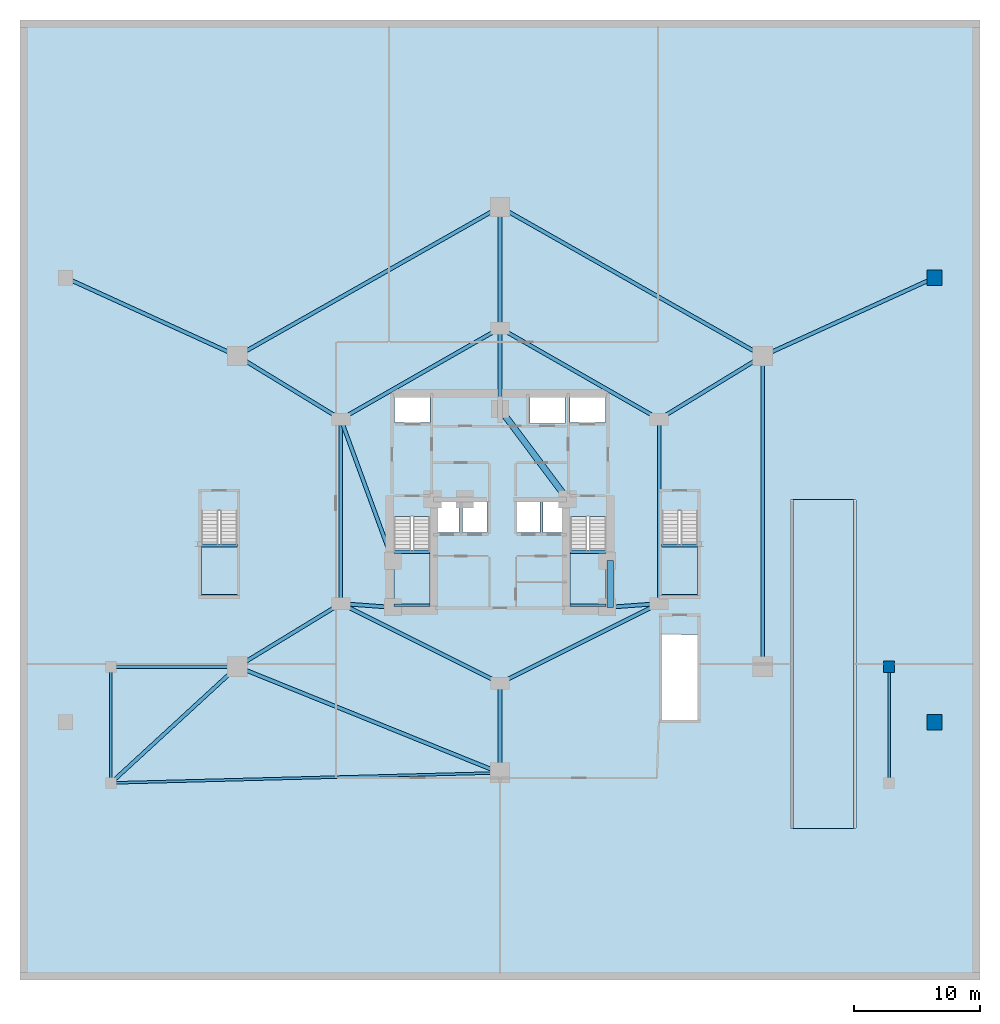
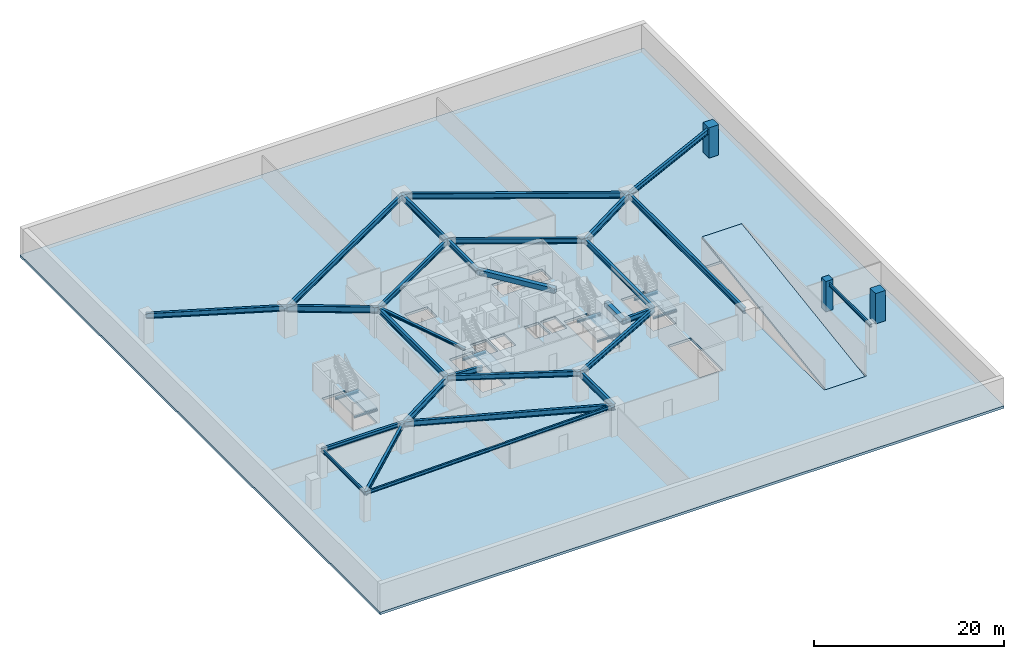
# One storey, part 4 of 10: 36 beams, 6 slabs, 3 columns, 4 elements without a shape of their own.
"""IFC4 building model written with IfcOpenShell, lengths in metres."""

from ifc_helpers import new_model, si_unit, direction, frame, origin, origin_2d, place, context, subcontext, project, spatial, polyline, rectangle, i_section, outline, extrude, material, layer, layer_set, material_profile, profile_set, type_object, element, aggregate, save


model = new_model("IFC4")

# Units and contexts
model_context = context("Model", 3, precision=1e-05, world=origin(), true_north=direction((0.0, 1.0)))
body_context = subcontext(model_context, "Body", "Model", "MODEL_VIEW")
ifc_project = project(units=[si_unit("LENGTHUNIT", "METRE"), si_unit("AREAUNIT", "SQUARE_METRE"), si_unit("VOLUMEUNIT", "CUBIC_METRE"), si_unit("PLANEANGLEUNIT", "RADIAN"), si_unit("MASSUNIT", "GRAM", prefix="KILO")], contexts=[model_context])

# Site, building, storey
site_placement = place(None, origin())
site = spatial("IfcSite", under=ifc_project, at=site_placement, CompositionType="ELEMENT")
building_placement = place(site_placement, origin())
building = spatial("IfcBuilding", under=site, at=building_placement, Name="Miruveldt Soraemaru", CompositionType="ELEMENT")
storey_placement = place(building_placement, frame((0.0, 0.0, -3.89990234375)))
storey = spatial("IfcBuildingStorey", under=building, at=storey_placement, Name="B1", CompositionType="ELEMENT", Elevation=-3.89990234375)

# Columns
ifc_material_1 = material(Name="Concrete C70/85 (70 MPa)", Category="concrete")
ifc_material_profile_1 = material_profile(ifc_material_1, rectangle(XDim=1.199951171875, YDim=1.199951171875, at=origin_2d()), Name="Concrete C70/85 (70 MPa)", Category="concrete")
ifc_profile_set_1 = profile_set([ifc_material_profile_1], Name="Concrete C70/85 (70 MPa)")
column_type_1 = type_object("IfcColumnType", Name="COL-CORE-1200", PredefinedType="COLUMN", material=ifc_profile_set_1)
for number, where, z_axis, x_axis, name in (
    (1, (78.39990234375, 26.39990234375, 0.0), (0.0, 0.0, 1.0), (1.0, 0.0, 0.0), "B1 Structural Column BC3"),
    (2, (78.39990234375, 61.60009765625, 0.0), (0.0, 0.0, 1.0), (1.0, 0.0, 0.0), "B1 Structural Column BC4"),
):
    element("IfcColumn", number, at=place(storey_placement, frame(where, z_axis=z_axis, x_axis=x_axis)), inside=storey, type_object=column_type_1, Name=name, PredefinedType="COLUMN", context=body_context, shape_type="SweptSolid", body=[
        extrude(rectangle(XDim=1.199951171875, YDim=1.199951171875, at=origin_2d()), origin(), (0.0, 0.0, 1.0), 3.89990234375),
    ])
ifc_material_2 = material(Name="Concrete C50/60 (50 MPa)", Category="concrete")
ifc_material_profile_2 = material_profile(ifc_material_2, rectangle(XDim=0.89990234375, YDim=0.89990234375, at=origin_2d()), Name="Concrete C50/60 (50 MPa)", Category="concrete")
ifc_profile_set_2 = profile_set([ifc_material_profile_2], Name="Concrete C50/60 (50 MPa)")
column_type_2 = type_object("IfcColumnType", Name="COL-CORE-900", PredefinedType="COLUMN", material=ifc_profile_set_2)
column_placement = place(storey_placement, frame((74.800048828125, 30.800048828125, 0.0), z_axis=(0.0, 0.0, 1.0), x_axis=(1.0, 0.0, 0.0)))
element("IfcColumn", 3, at=column_placement, inside=storey, type_object=column_type_2, Name="B1 Structural Column PF04", PredefinedType="COLUMN", context=body_context, shape_type="SweptSolid", body=[
    extrude(rectangle(XDim=0.89990234375, YDim=0.89990234375, at=origin_2d()), origin(), (0.0, 0.0, 1.0), 3.89990234375),
])

# Beams
ifc_material_3 = material(Name="Steel SM355 (355 MPa)", Category="steel")
ifc_material_profile_3 = material_profile(ifc_material_3, i_section(OverallWidth=0.300048828125, OverallDepth=0.300048828125, WebThickness=0.010009765625, FlangeThickness=0.014892578125, FilletRadius=0.01806640625, at=origin_2d()), Name="Steel SM355 (355 MPa)", Category="steel")
ifc_profile_set_3 = profile_set([ifc_material_profile_3], Name="Steel SM355 (355 MPa)")
beam_type_1 = type_object("IfcBeamType", Name="BM-LNT-H300", PredefinedType="LINTEL", material=ifc_profile_set_3)
beam_1_placement = place(storey_placement, frame((31.39990234375, 50.39990234375, 3.449951171875), z_axis=(0.343770424598, -0.939053723262, 0.0), x_axis=(0.939053723262, 0.343770424598, 0.0)))
element("IfcBeam", 4, at=beam_1_placement, inside=storey, type_object=beam_type_1, Name="B1 West Lobby Lintel", PredefinedType="LINTEL", context=body_context, shape_type="SweptSolid", body=[
    extrude(i_section(OverallWidth=0.300048828125, OverallDepth=0.300048828125, WebThickness=0.010009765625, FlangeThickness=0.014892578125, FilletRadius=0.01806640625, at=origin_2d()), origin(), (0.0, 0.0, 1.0), 11.9267578125),
])
ifc_material_profile_4 = material_profile(ifc_material_2, rectangle(XDim=0.5, YDim=0.64990234375, at=origin_2d()), Name="Concrete C50/60 (50 MPa)", Category="concrete")
ifc_profile_set_4 = profile_set([ifc_material_profile_4], Name="Concrete C50/60 (50 MPa)")
beam_type_2 = type_object("IfcBeamType", Name="BM-RC-500x650", PredefinedType="BEAM", material=ifc_profile_set_4)
beam_2_placement = place(storey_placement, frame((52.72998046875, 35.5, 3.27490234375), z_axis=(0.0, 1.0, 0.0), x_axis=(-1.0, 0.0, 0.0)))
element("IfcBeam", 5, at=beam_2_placement, inside=storey, type_object=beam_type_2, Name="B1 Core Tie Beam 3", PredefinedType="BEAM", context=body_context, shape_type="SweptSolid", body=[
    extrude(rectangle(XDim=0.5, YDim=0.64990234375, at=origin_2d()), origin(), (0.0, 0.0, 1.0), 3.699951171875),
])
beam_3_placement = place(storey_placement, frame((49.35009765625, 44.050048828125, 3.27490234375), z_axis=(-0.599116023999, 0.800662219533, 0.0), x_axis=(-0.800662219533, -0.599116023999, 0.0)))
element("IfcBeam", 6, at=beam_3_placement, inside=storey, type_object=beam_type_2, Name="B1 Core Tie Beam 5", PredefinedType="BEAM", context=body_context, shape_type="SweptSolid", body=[
    extrude(rectangle(XDim=0.5, YDim=0.64990234375, at=origin_2d()), origin(), (0.0, 0.0, 1.0), 8.929931640625),
])
ifc_material_profile_5 = material_profile(ifc_material_3, i_section(OverallWidth=0.199951171875, OverallDepth=0.39990234375, WebThickness=0.008056640625, FlangeThickness=0.012939453125, FilletRadius=0.01611328125, at=origin_2d()), Name="Steel SM355 (355 MPa)", Category="steel")
ifc_profile_set_5 = profile_set([ifc_material_profile_5], Name="Steel SM355 (355 MPa)")
beam_type_3 = type_object("IfcBeamType", Name="BM-ST-H400", PredefinedType="JOIST", material=ifc_profile_set_5)
beam_4_placement = place(storey_placement, frame((13.199951171875, 30.800048828125, 3.39990234375), z_axis=(0.0, -1.0, 0.0), x_axis=(1.0, 0.0, 0.0)))
element("IfcBeam", 7, at=beam_4_placement, inside=storey, type_object=beam_type_3, Name="B1 Podium West Bay Edge Beam", PredefinedType="JOIST", context=body_context, shape_type="SweptSolid", body=[
    extrude(i_section(OverallWidth=0.199951171875, OverallDepth=0.39990234375, WebThickness=0.008056640625, FlangeThickness=0.012939453125, FilletRadius=0.01611328125, at=origin_2d()), origin(), (0.0, 0.0, 1.0), 9.199951171875),
])
beam_5_placement = place(storey_placement, frame((13.199951171875, 21.60009765625, 3.39990234375), z_axis=(0.999663011165, 0.025958892686, 0.0), x_axis=(-0.025958892686, 0.999663011165, 0.0)))
element("IfcBeam", 8, at=beam_5_placement, inside=storey, type_object=beam_type_3, Name="B1 Podium South-West Tie Beam", PredefinedType="JOIST", context=body_context, shape_type="SweptSolid", body=[
    extrude(i_section(OverallWidth=0.199951171875, OverallDepth=0.39990234375, WebThickness=0.008056640625, FlangeThickness=0.012939453125, FilletRadius=0.01611328125, at=origin_2d()), origin(), (0.0, 0.0, 1.0), 30.810546875),
])
beam_6_placement = place(storey_placement, frame((74.800048828125, 30.800048828125, 3.39990234375), z_axis=(0.0, -1.0, 0.0), x_axis=(1.0, 0.0, 0.0)))
element("IfcBeam", 9, at=beam_6_placement, inside=storey, type_object=beam_type_3, Name="B1 Podium East Bay Edge Beam", PredefinedType="JOIST", context=body_context, shape_type="SweptSolid", body=[
    extrude(i_section(OverallWidth=0.199951171875, OverallDepth=0.39990234375, WebThickness=0.008056640625, FlangeThickness=0.012939453125, FilletRadius=0.01611328125, at=origin_2d()), origin(), (0.0, 0.0, 1.0), 9.199951171875),
])
ifc_material_profile_6 = material_profile(ifc_material_3, i_section(OverallWidth=0.300048828125, OverallDepth=0.488037109375, WebThickness=0.010986328125, FlangeThickness=0.01806640625, FilletRadius=0.02587890625, at=origin_2d()), Name="Steel SM355 (355 MPa)", Category="steel")
ifc_profile_set_6 = profile_set([ifc_material_profile_6], Name="Steel SM355 (355 MPa)")
beam_type_4 = type_object("IfcBeamType", Name="BM-ST-H488", PredefinedType="BEAM", material=ifc_profile_set_6)
beam_7_placement = place(storey_placement, frame((23.199951171875, 30.800048828125, 3.35595703125), z_axis=(-1.0, 0.0, 0.0), x_axis=(0.0, -1.0, 0.0)))
element("IfcBeam", 10, at=beam_7_placement, inside=storey, type_object=beam_type_4, Name="B1 Podium West Bay Girder 1", PredefinedType="BEAM", context=body_context, shape_type="SweptSolid", body=[
    extrude(i_section(OverallWidth=0.300048828125, OverallDepth=0.488037109375, WebThickness=0.010986328125, FlangeThickness=0.01806640625, FilletRadius=0.02587890625, at=origin_2d()), origin(), (0.0, 0.0, 1.0), 10.0),
])
beam_8_placement = place(storey_placement, frame((13.199951171875, 21.60009765625, 3.35595703125), z_axis=(0.735932802242, 0.677054584641, 0.0), x_axis=(-0.677054584641, 0.735932802242, 0.0)))
element("IfcBeam", 11, at=beam_8_placement, inside=storey, type_object=beam_type_4, Name="B1 Podium West Bay Tie Girder", PredefinedType="BEAM", context=body_context, shape_type="SweptSolid", body=[
    extrude(i_section(OverallWidth=0.300048828125, OverallDepth=0.488037109375, WebThickness=0.010986328125, FlangeThickness=0.01806640625, FilletRadius=0.02587890625, at=origin_2d()), origin(), (0.0, 0.0, 1.0), 13.588134765625),
])
ifc_material_profile_7 = material_profile(ifc_material_3, i_section(OverallWidth=0.300048828125, OverallDepth=0.64990234375, WebThickness=0.012939453125, FlangeThickness=0.02197265625, FilletRadius=0.02587890625, at=origin_2d()), Name="Steel SM355 (355 MPa)", Category="steel")
ifc_profile_set_7 = profile_set([ifc_material_profile_7], Name="Steel SM355 (355 MPa)")
beam_type_5 = type_object("IfcBeamType", Name="BM-ST-H650", PredefinedType="BEAM", material=ifc_profile_set_7)
beam_9_placement = place(storey_placement, frame((44.0, 57.60009765625, 3.27490234375), z_axis=(0.868239001029, -0.496146185203, 0.0), x_axis=(0.496146185203, 0.868239001029, 0.0)))
element("IfcBeam", 12, at=beam_9_placement, inside=storey, type_object=beam_type_5, Name="B1 Inner Ring Girder 1", PredefinedType="BEAM", context=body_context, shape_type="SweptSolid", body=[
    extrude(i_section(OverallWidth=0.300048828125, OverallDepth=0.64990234375, WebThickness=0.012939453125, FlangeThickness=0.02197265625, FilletRadius=0.02587890625, at=origin_2d()), origin(), (0.0, 0.0, 1.0), 14.51220703125),
])
beam_10_placement = place(storey_placement, frame((44.0, 51.199951171875, 3.27490234375), z_axis=(0.0, 1.0, 0.0), x_axis=(-1.0, 0.0, 0.0)))
element("IfcBeam", 13, at=beam_10_placement, inside=storey, type_object=beam_type_5, Name="B1 Core-to-Inner Radial Girder 1", PredefinedType="BEAM", context=body_context, shape_type="SweptSolid", body=[
    extrude(i_section(OverallWidth=0.300048828125, OverallDepth=0.64990234375, WebThickness=0.012939453125, FlangeThickness=0.02197265625, FilletRadius=0.02587890625, at=origin_2d()), origin(), (0.0, 0.0, 1.0), 6.400146484375),
])
beam_11_placement = place(storey_placement, frame((56.60009765625, 50.39990234375, 3.27490234375), z_axis=(0.0, -1.0, 0.0), x_axis=(1.0, 0.0, 0.0)))
element("IfcBeam", 14, at=beam_11_placement, inside=storey, type_object=beam_type_5, Name="B1 Inner Ring Girder 2", PredefinedType="BEAM", context=body_context, shape_type="SweptSolid", body=[
    extrude(i_section(OverallWidth=0.300048828125, OverallDepth=0.64990234375, WebThickness=0.012939453125, FlangeThickness=0.02197265625, FilletRadius=0.02587890625, at=origin_2d()), origin(), (0.0, 0.0, 1.0), 14.599853515625),
])
beam_12_placement = place(storey_placement, frame((56.60009765625, 35.800048828125, 3.27490234375), z_axis=(-0.894427191, -0.4472135955, 0.0), x_axis=(0.4472135955, -0.894427191, 0.0)))
element("IfcBeam", 15, at=beam_12_placement, inside=storey, type_object=beam_type_5, Name="B1 Inner Ring Girder 3", PredefinedType="BEAM", context=body_context, shape_type="SweptSolid", body=[
    extrude(i_section(OverallWidth=0.300048828125, OverallDepth=0.64990234375, WebThickness=0.012939453125, FlangeThickness=0.02197265625, FilletRadius=0.02587890625, at=origin_2d()), origin(), (0.0, 0.0, 1.0), 14.08740234375),
])
beam_13_placement = place(storey_placement, frame((52.5, 35.5, 3.27490234375), z_axis=(0.997332985605, 0.072985723431, 0.0), x_axis=(-0.072985723431, 0.997332985605, 0.0)))
element("IfcBeam", 16, at=beam_13_placement, inside=storey, type_object=beam_type_5, Name="B1 Core-to-Inner Radial Girder 3", PredefinedType="BEAM", context=body_context, shape_type="SweptSolid", body=[
    extrude(i_section(OverallWidth=0.300048828125, OverallDepth=0.64990234375, WebThickness=0.012939453125, FlangeThickness=0.02197265625, FilletRadius=0.02587890625, at=origin_2d()), origin(), (0.0, 0.0, 1.0), 4.111083984375),
])
beam_14_placement = place(storey_placement, frame((44.0, 29.5, 3.27490234375), z_axis=(-0.894427191, 0.4472135955, 0.0), x_axis=(-0.4472135955, -0.894427191, 0.0)))
element("IfcBeam", 17, at=beam_14_placement, inside=storey, type_object=beam_type_5, Name="B1 Inner Ring Girder 4", PredefinedType="BEAM", context=body_context, shape_type="SweptSolid", body=[
    extrude(i_section(OverallWidth=0.300048828125, OverallDepth=0.64990234375, WebThickness=0.012939453125, FlangeThickness=0.02197265625, FilletRadius=0.02587890625, at=origin_2d()), origin(), (0.0, 0.0, 1.0), 14.08740234375),
])
beam_15_placement = place(storey_placement, frame((31.39990234375, 35.800048828125, 3.27490234375), z_axis=(0.0, 1.0, 0.0), x_axis=(-1.0, 0.0, 0.0)))
element("IfcBeam", 18, at=beam_15_placement, inside=storey, type_object=beam_type_5, Name="B1 Inner Ring Girder 5", PredefinedType="BEAM", context=body_context, shape_type="SweptSolid", body=[
    extrude(i_section(OverallWidth=0.300048828125, OverallDepth=0.64990234375, WebThickness=0.012939453125, FlangeThickness=0.02197265625, FilletRadius=0.02587890625, at=origin_2d()), origin(), (0.0, 0.0, 1.0), 14.599853515625),
])
beam_16_placement = place(storey_placement, frame((35.5, 35.5, 3.27490234375), z_axis=(-0.997332985605, 0.072985723431, 0.0), x_axis=(-0.072985723431, -0.997332985605, 0.0)))
element("IfcBeam", 19, at=beam_16_placement, inside=storey, type_object=beam_type_5, Name="B1 Core-to-Inner Radial Girder 5", PredefinedType="BEAM", context=body_context, shape_type="SweptSolid", body=[
    extrude(i_section(OverallWidth=0.300048828125, OverallDepth=0.64990234375, WebThickness=0.012939453125, FlangeThickness=0.02197265625, FilletRadius=0.02587890625, at=origin_2d()), origin(), (0.0, 0.0, 1.0), 4.111083984375),
])
beam_17_placement = place(storey_placement, frame((31.39990234375, 50.39990234375, 3.27490234375), z_axis=(0.868239001029, 0.496146185203, 0.0), x_axis=(-0.496146185203, 0.868239001029, 0.0)))
element("IfcBeam", 20, at=beam_17_placement, inside=storey, type_object=beam_type_5, Name="B1 Inner Ring Girder 6", PredefinedType="BEAM", context=body_context, shape_type="SweptSolid", body=[
    extrude(i_section(OverallWidth=0.300048828125, OverallDepth=0.64990234375, WebThickness=0.012939453125, FlangeThickness=0.02197265625, FilletRadius=0.02587890625, at=origin_2d()), origin(), (0.0, 0.0, 1.0), 14.51220703125),
])
for number, where, z_axis, x_axis, name in (
    (21, (23.199951171875, 55.39990234375, 3.27490234375), (-0.909901047337, 0.414825365733, 0.0), (-0.414825365733, -0.909901047337, 0.0), "B1 Basement Outer Girder 2"),
    (22, (64.800048828125, 55.39990234375, 3.27490234375), (0.909901047337, 0.414825365733, 0.0), (-0.414825365733, 0.909901047337, 0.0), "B1 Basement Outer Girder 4"),
):
    element("IfcBeam", number, at=place(storey_placement, frame(where, z_axis=z_axis, x_axis=x_axis)), inside=storey, type_object=beam_type_5, Name=name, PredefinedType="BEAM", context=body_context, shape_type="SweptSolid", body=[
        extrude(i_section(OverallWidth=0.300048828125, OverallDepth=0.64990234375, WebThickness=0.012939453125, FlangeThickness=0.02197265625, FilletRadius=0.02587890625, at=origin_2d()), origin(), (0.0, 0.0, 1.0), 14.946533203125),
    ])
ifc_material_profile_8 = material_profile(ifc_material_3, i_section(OverallWidth=0.300048828125, OverallDepth=0.699951171875, WebThickness=0.012939453125, FlangeThickness=0.02392578125, FilletRadius=0.028076171875, at=origin_2d()), Name="Steel SM355 (355 MPa)", Category="steel")
ifc_profile_set_8 = profile_set([ifc_material_profile_8], Name="Steel SM355 (355 MPa)")
beam_type_6 = type_object("IfcBeamType", Name="BM-ST-H700", PredefinedType="BEAM", material=ifc_profile_set_8)
beam_18_placement = place(storey_placement, frame((44.0, 67.199951171875, 3.25), z_axis=(0.869782551993, -0.493435215858, 0.0), x_axis=(0.493435215858, 0.869782551993, 0.0)))
element("IfcBeam", 23, at=beam_18_placement, inside=storey, type_object=beam_type_6, Name="B1 Podium Ring Girder 1", PredefinedType="BEAM", context=body_context, shape_type="SweptSolid", body=[
    extrude(i_section(OverallWidth=0.300048828125, OverallDepth=0.699951171875, WebThickness=0.012939453125, FlangeThickness=0.02392578125, FilletRadius=0.028076171875, at=origin_2d()), origin(), (0.0, 0.0, 1.0), 23.9140625),
])
beam_19_placement = place(storey_placement, frame((64.800048828125, 55.39990234375, 3.25), z_axis=(0.0, -1.0, 0.0), x_axis=(1.0, 0.0, 0.0)))
element("IfcBeam", 24, at=beam_19_placement, inside=storey, type_object=beam_type_6, Name="B1 Podium Ring Girder 2", PredefinedType="BEAM", context=body_context, shape_type="SweptSolid", body=[
    extrude(i_section(OverallWidth=0.300048828125, OverallDepth=0.699951171875, WebThickness=0.012939453125, FlangeThickness=0.02392578125, FilletRadius=0.028076171875, at=origin_2d()), origin(), (0.0, 0.0, 1.0), 24.599853515625),
])
beam_20_placement = place(storey_placement, frame((44.0, 22.39990234375, 3.25), z_axis=(-0.927239874954, 0.374467908231, 0.0), x_axis=(-0.374467908231, -0.927239874954, 0.0)))
element("IfcBeam", 25, at=beam_20_placement, inside=storey, type_object=beam_type_6, Name="B1 Podium Ring Girder 4", PredefinedType="BEAM", context=body_context, shape_type="SweptSolid", body=[
    extrude(i_section(OverallWidth=0.300048828125, OverallDepth=0.699951171875, WebThickness=0.012939453125, FlangeThickness=0.02392578125, FilletRadius=0.028076171875, at=origin_2d()), origin(), (0.0, 0.0, 1.0), 22.43212890625),
])
beam_21_placement = place(storey_placement, frame((23.199951171875, 55.39990234375, 3.25), z_axis=(0.869782551993, 0.493435215858, 0.0), x_axis=(-0.493435215858, 0.869782551993, 0.0)))
element("IfcBeam", 26, at=beam_21_placement, inside=storey, type_object=beam_type_6, Name="B1 Podium Ring Girder 6", PredefinedType="BEAM", context=body_context, shape_type="SweptSolid", body=[
    extrude(i_section(OverallWidth=0.300048828125, OverallDepth=0.699951171875, WebThickness=0.012939453125, FlangeThickness=0.02392578125, FilletRadius=0.028076171875, at=origin_2d()), origin(), (0.0, 0.0, 1.0), 23.9140625),
])
ifc_material_4 = material(Name="Steel S460 (460 MPa)", Category="steel")
ifc_material_profile_9 = material_profile(ifc_material_4, i_section(OverallWidth=0.300048828125, OverallDepth=0.800048828125, WebThickness=0.013916015625, FlangeThickness=0.02587890625, FilletRadius=0.028076171875, at=origin_2d()), Name="Steel S460 (460 MPa)", Category="steel")
ifc_profile_set_9 = profile_set([ifc_material_profile_9], Name="Steel S460 (460 MPa)")
beam_type_7 = type_object("IfcBeamType", Name="BM-ST-H800", PredefinedType="BEAM", material=ifc_profile_set_9)
beam_22_placement = place(storey_placement, frame((44.0, 57.60009765625, 3.199951171875), z_axis=(0.0, 1.0, 0.0), x_axis=(-1.0, 0.0, 0.0)))
element("IfcBeam", 27, at=beam_22_placement, inside=storey, type_object=beam_type_7, Name="B1 Podium Radial Girder 1", PredefinedType="BEAM", context=body_context, shape_type="SweptSolid", body=[
    extrude(i_section(OverallWidth=0.300048828125, OverallDepth=0.800048828125, WebThickness=0.013916015625, FlangeThickness=0.02587890625, FilletRadius=0.028076171875, at=origin_2d()), origin(), (0.0, 0.0, 1.0), 9.599853515625),
])
beam_23_placement = place(storey_placement, frame((56.60009765625, 50.39990234375, 3.199951171875), z_axis=(0.853794797843, 0.520609684098, 0.0), x_axis=(-0.520609684098, 0.853794797843, 0.0)))
element("IfcBeam", 28, at=beam_23_placement, inside=storey, type_object=beam_type_7, Name="B1 Podium Radial Girder 2", PredefinedType="BEAM", context=body_context, shape_type="SweptSolid", body=[
    extrude(i_section(OverallWidth=0.300048828125, OverallDepth=0.800048828125, WebThickness=0.013916015625, FlangeThickness=0.02587890625, FilletRadius=0.028076171875, at=origin_2d()), origin(), (0.0, 0.0, 1.0), 9.60400390625),
])
beam_24_placement = place(storey_placement, frame((44.0, 29.5, 3.199951171875), z_axis=(0.0, -1.0, 0.0), x_axis=(1.0, 0.0, 0.0)))
element("IfcBeam", 29, at=beam_24_placement, inside=storey, type_object=beam_type_7, Name="B1 Podium Radial Girder 4", PredefinedType="BEAM", context=body_context, shape_type="SweptSolid", body=[
    extrude(i_section(OverallWidth=0.300048828125, OverallDepth=0.800048828125, WebThickness=0.013916015625, FlangeThickness=0.02587890625, FilletRadius=0.028076171875, at=origin_2d()), origin(), (0.0, 0.0, 1.0), 7.10009765625),
])
for number, where, z_axis, x_axis, name in (
    (30, (31.39990234375, 35.800048828125, 3.199951171875), (-0.853794797843, -0.520609684098, 0.0), (0.520609684098, -0.853794797843, 0.0), "B1 Podium Radial Girder 5"),
    (31, (31.39990234375, 50.39990234375, 3.199951171875), (-0.853794797843, 0.520609684098, 0.0), (-0.520609684098, -0.853794797843, 0.0), "B1 Podium Radial Girder 6"),
):
    element("IfcBeam", number, at=place(storey_placement, frame(where, z_axis=z_axis, x_axis=x_axis)), inside=storey, type_object=beam_type_7, Name=name, PredefinedType="BEAM", context=body_context, shape_type="SweptSolid", body=[
        extrude(i_section(OverallWidth=0.300048828125, OverallDepth=0.800048828125, WebThickness=0.013916015625, FlangeThickness=0.02587890625, FilletRadius=0.028076171875, at=origin_2d()), origin(), (0.0, 0.0, 1.0), 9.60400390625),
    ])
ifc_material_profile_10 = material_profile(ifc_material_3, i_section(OverallWidth=0.199951171875, OverallDepth=0.199951171875, WebThickness=0.008056640625, FlangeThickness=0.011962890625, FilletRadius=0.012939453125, at=origin_2d()), Name="Steel SM355 (355 MPa)", Category="steel")
ifc_profile_set_10 = profile_set([ifc_material_profile_10], Name="Steel SM355 (355 MPa)")
beam_type_8 = type_object("IfcBeamType", Name="BM-ST-LND200", PredefinedType="BEAM", material=ifc_profile_set_10)
for number, where, z_axis, x_axis, name in (
    (32, (35.60009765625, 35.64990234375, 1.64990234375), (1.0, 0.0, 0.0), (0.0, 1.0, 0.0), "B1 ST1 Landing End Beam 1B"),
    (33, (49.550048828125, 35.64990234375, 1.64990234375), (1.0, 0.0, 0.0), (0.0, 1.0, 0.0), "B1 ST2 Landing End Beam 1B"),
    (34, (20.35009765625, 36.39990234375, 1.64990234375), (1.0, 0.0, 0.0), (0.0, 1.0, 0.0), "B1 ST3 Landing End Beam 1B"),
    (35, (56.800048828125, 36.39990234375, 1.64990234375), (1.0, 0.0, 0.0), (0.0, 1.0, 0.0), "B1 ST4 Landing End Beam 1B"),
):
    element("IfcBeam", number, at=place(storey_placement, frame(where, z_axis=z_axis, x_axis=x_axis)), inside=storey, type_object=beam_type_8, Name=name, PredefinedType="BEAM", context=body_context, shape_type="SweptSolid", body=[
        extrude(i_section(OverallWidth=0.199951171875, OverallDepth=0.199951171875, WebThickness=0.008056640625, FlangeThickness=0.011962890625, FilletRadius=0.012939453125, at=origin_2d()), origin(), (0.0, 0.0, 1.0), 2.849853515625),
    ])
ifc_material_profile_11 = material_profile(ifc_material_3, i_section(OverallWidth=0.25, OverallDepth=0.25, WebThickness=0.009033203125, FlangeThickness=0.013916015625, FilletRadius=0.01611328125, at=origin_2d()), Name="Steel SM355 (355 MPa)", Category="steel")
ifc_profile_set_11 = profile_set([ifc_material_profile_11], Name="Steel SM355 (355 MPa)")
beam_type_9 = type_object("IfcBeamType", Name="BM-ST-LND250", PredefinedType="BEAM", material=ifc_profile_set_11)
for number, where, z_axis, x_axis, name in (
    (36, (35.60009765625, 39.89990234375, 1.625), (1.0, 0.0, 0.0), (0.0, 1.0, 0.0), "B1 ST1 Landing Support Beam 1A"),
    (37, (49.550048828125, 39.89990234375, 1.625), (1.0, 0.0, 0.0), (0.0, 1.0, 0.0), "B1 ST2 Landing Support Beam 1A"),
    (38, (20.35009765625, 40.39990234375, 1.625), (1.0, 0.0, 0.0), (0.0, 1.0, 0.0), "B1 ST3 Landing Support Beam 1A"),
    (39, (56.800048828125, 40.39990234375, 1.625), (1.0, 0.0, 0.0), (0.0, 1.0, 0.0), "B1 ST4 Landing Support Beam 1A"),
):
    element("IfcBeam", number, at=place(storey_placement, frame(where, z_axis=z_axis, x_axis=x_axis)), inside=storey, type_object=beam_type_9, Name=name, PredefinedType="BEAM", context=body_context, shape_type="SweptSolid", body=[
        extrude(i_section(OverallWidth=0.25, OverallDepth=0.25, WebThickness=0.009033203125, FlangeThickness=0.013916015625, FilletRadius=0.01611328125, at=origin_2d()), origin(), (0.0, 0.0, 1.0), 2.849853515625),
    ])

# Slab
ifc_layer_1 = layer(ifc_material_2, 0.320068359375, Name="Concrete C50/60 (50 MPa)", Category="concrete")
ifc_layer_set_1 = layer_set([ifc_layer_1], Name="Concrete C50/60 (50 MPa)")
slab_type_1 = type_object("IfcSlabType", Name="SLAB-BSMT-320", PredefinedType="FLOOR", material=ifc_layer_set_1)
slab_1_placement = place(storey_placement, frame((0.0, 0.0, -0.320068359375)))
element("IfcSlab", 40, at=slab_1_placement, inside=storey, type_object=slab_type_1, Name="B1 Structural Floor Slab", PredefinedType="FLOOR", context=body_context, shape_type="SweptSolid", body=[
    extrude(outline(polyline([(6.0, 82.0), (82.0, 82.0), (82.0, 6.0), (6.0, 6.0), (6.0, 82.0)]), holes=[polyline([(35.614990234375, 35.6650390625), (38.43505859375, 35.6650390625), (38.43505859375, 42.68505859375), (35.614990234375, 42.68505859375), (35.614990234375, 35.6650390625)]), polyline([(20.364990234375, 43.18505859375), (20.364990234375, 36.4150390625), (23.18505859375, 36.4150390625), (23.18505859375, 43.18505859375), (20.364990234375, 43.18505859375)]), polyline([(38.81494140625, 41.4150390625), (40.764892578125, 41.4150390625), (40.764892578125, 43.885009765625), (38.81494140625, 43.885009765625), (38.81494140625, 41.4150390625)]), polyline([(42.965087890625, 41.4150390625), (42.965087890625, 43.885009765625), (41.034912109375, 43.885009765625), (41.034912109375, 41.4150390625), (42.965087890625, 41.4150390625)]), polyline([(45.364990234375, 41.4150390625), (47.1650390625, 41.4150390625), (47.1650390625, 43.885009765625), (45.364990234375, 43.885009765625), (45.364990234375, 41.4150390625)]), polyline([(35.635009765625, 50.135009765625), (38.445068359375, 50.135009765625), (38.445068359375, 52.205078125), (35.635009765625, 52.205078125), (35.635009765625, 50.135009765625)]), polyline([(49.135009765625, 50.06494140625), (49.135009765625, 52.3349609375), (46.364990234375, 52.3349609375), (46.364990234375, 50.06494140625), (49.135009765625, 50.06494140625)]), polyline([(56.81494140625, 33.3349609375), (56.81494140625, 26.56494140625), (59.635009765625, 26.56494140625), (59.635009765625, 33.3349609375), (56.81494140625, 33.3349609375)]), polyline([(67.014892578125, 18.014892578125), (72.18505859375, 18.014892578125), (72.18505859375, 43.985107421875), (67.014892578125, 43.985107421875), (67.014892578125, 18.014892578125)]), polyline([(49.56494140625, 42.68505859375), (49.56494140625, 35.6650390625), (52.385009765625, 35.6650390625), (52.385009765625, 42.68505859375), (49.56494140625, 42.68505859375)]), polyline([(56.81494140625, 43.18505859375), (56.81494140625, 36.4150390625), (59.635009765625, 36.4150390625), (59.635009765625, 43.18505859375), (56.81494140625, 43.18505859375)]), polyline([(47.39501953125, 41.4150390625), (49.18505859375, 41.4150390625), (49.18505859375, 43.885009765625), (47.39501953125, 43.885009765625), (47.39501953125, 41.4150390625)]), polyline([(49.554931640625, 50.135009765625), (52.364990234375, 50.135009765625), (52.364990234375, 52.205078125), (49.554931640625, 52.205078125), (49.554931640625, 50.135009765625)])]), origin(), (0.0, 0.0, 1.0), 0.320068359375),
])

# Stair, slab
ifc_material_5 = material(Name="Concrete C40/50 (40 MPa)", Category="concrete")
stair_type_1 = type_object("IfcStairType", Name="STAIR-DL-390", PredefinedType="HALF_TURN_STAIR", material=ifc_material_5)
stair_1_placement = place(storey_placement, origin())
stair_1 = element("IfcStair", 41, at=stair_1_placement, inside=storey, type_object=stair_type_1, Name="B1 Protected Exit Stair ST-1", PredefinedType="HALF_TURN_STAIR")
ifc_layer_2 = layer(ifc_material_5, 0.199951171875, Name="Concrete C40/50 (40 MPa)", Category="concrete")
ifc_layer_set_2 = layer_set([ifc_layer_2], Name="Concrete C40/50 (40 MPa)")
slab_type_2 = type_object("IfcSlabType", Name="SLAB-LAND-200", PredefinedType="LANDING", material=ifc_layer_set_2)
slab_2_placement = place(storey_placement, frame((0.0, 0.0, 1.75)))
slab_2 = element("IfcSlab", 42, at=slab_2_placement, type_object=slab_type_2, Name="ST-1 landing 1", PredefinedType="LANDING", context=body_context, shape_type="SweptSolid", body=[
    extrude(outline(polyline([(35.60009765625, 39.91796875), (35.60009765625, 35.64990234375), (38.449951171875, 35.64990234375), (38.449951171875, 39.91796875), (35.60009765625, 39.91796875)])), origin(), (0.0, 0.0, 1.0), 0.199951171875),
])
aggregate(stair_1, [slab_2])

stair_2_placement = place(storey_placement, origin())
stair_2 = element("IfcStair", 43, at=stair_2_placement, inside=storey, type_object=stair_type_1, Name="B1 Protected Exit Stair ST-2", PredefinedType="HALF_TURN_STAIR")
slab_3_placement = place(storey_placement, frame((0.0, 0.0, 1.75)))
slab_3 = element("IfcSlab", 44, at=slab_3_placement, type_object=slab_type_2, Name="ST-2 landing 1", PredefinedType="LANDING", context=body_context, shape_type="SweptSolid", body=[
    extrude(outline(polyline([(49.550048828125, 39.91796875), (49.550048828125, 35.64990234375), (52.39990234375, 35.64990234375), (52.39990234375, 39.91796875), (49.550048828125, 39.91796875)])), origin(), (0.0, 0.0, 1.0), 0.199951171875),
])
aggregate(stair_2, [slab_3])

stair_3_placement = place(storey_placement, origin())
stair_3 = element("IfcStair", 45, at=stair_3_placement, inside=storey, type_object=stair_type_1, Name="B1 Podium Protected Exit Stair ST-3", PredefinedType="HALF_TURN_STAIR")
slab_4_placement = place(storey_placement, frame((0.0, 0.0, 1.75)))
slab_4 = element("IfcSlab", 46, at=slab_4_placement, type_object=slab_type_2, Name="ST-3 landing 1", PredefinedType="LANDING", context=body_context, shape_type="SweptSolid", body=[
    extrude(outline(polyline([(20.35009765625, 40.41796875), (20.35009765625, 36.39990234375), (23.199951171875, 36.39990234375), (23.199951171875, 40.41796875), (20.35009765625, 40.41796875)])), origin(), (0.0, 0.0, 1.0), 0.199951171875),
])
aggregate(stair_3, [slab_4])

ifc_material_6 = material(Name="Steel S355 (355 MPa)", Category="steel")
stair_type_2 = type_object("IfcStairType", Name="STAIR-FEAT-STR", PredefinedType="TWO_STRAIGHT_RUN_STAIR", material=ifc_material_6)
stair_4_placement = place(storey_placement, origin())
stair_4 = element("IfcStair", 47, at=stair_4_placement, inside=storey, type_object=stair_type_2, Name="B1 Podium Garden Feature Stair ST-4", PredefinedType="TWO_STRAIGHT_RUN_STAIR")
slab_5_placement = place(storey_placement, frame((0.0, 0.0, 1.75)))
slab_5 = element("IfcSlab", 48, at=slab_5_placement, type_object=slab_type_2, Name="ST-4 landing 1", PredefinedType="LANDING", context=body_context, shape_type="SweptSolid", body=[
    extrude(outline(polyline([(56.800048828125, 40.41796875), (56.800048828125, 36.39990234375), (59.64990234375, 36.39990234375), (59.64990234375, 40.41796875), (56.800048828125, 40.41796875)])), origin(), (0.0, 0.0, 1.0), 0.199951171875),
])
aggregate(stair_4, [slab_5])

# Slab
ifc_layer_3 = layer(ifc_material_5, 0.260009765625, Name="Concrete C40/50 (40 MPa)", Category="concrete")
ifc_layer_set_3 = layer_set([ifc_layer_3], Name="Concrete C40/50 (40 MPa)")
slab_type_3 = type_object("IfcSlabType", Name="SLAB-RMP-260", PredefinedType="USERDEFINED", material=ifc_layer_set_3)
slab_6_placement = place(storey_placement, frame((67.199951171875, 17.97998046875, 0.0), z_axis=(0.0, -0.148113745454, 0.98897033242), x_axis=(1.0, 0.0, 0.0)))
element("IfcSlab", 49, at=slab_6_placement, inside=storey, type_object=slab_type_3, Name="Car Park Vehicle Ramp Structural Slab B1 to L01", ObjectType="VEHICULAR RAMP", PredefinedType="USERDEFINED", context=body_context, shape_type="SweptSolid", body=[
    extrude(outline(polyline([(0.0, 0.0), (4.800048828125, 0.0), (4.800048828125, 26.33056640625), (0.0, 26.33056640625), (0.0, 0.0)])), origin(), (0.0, 0.0, -1.0), 0.260009765625),
])

save(model, "model.ifc")
